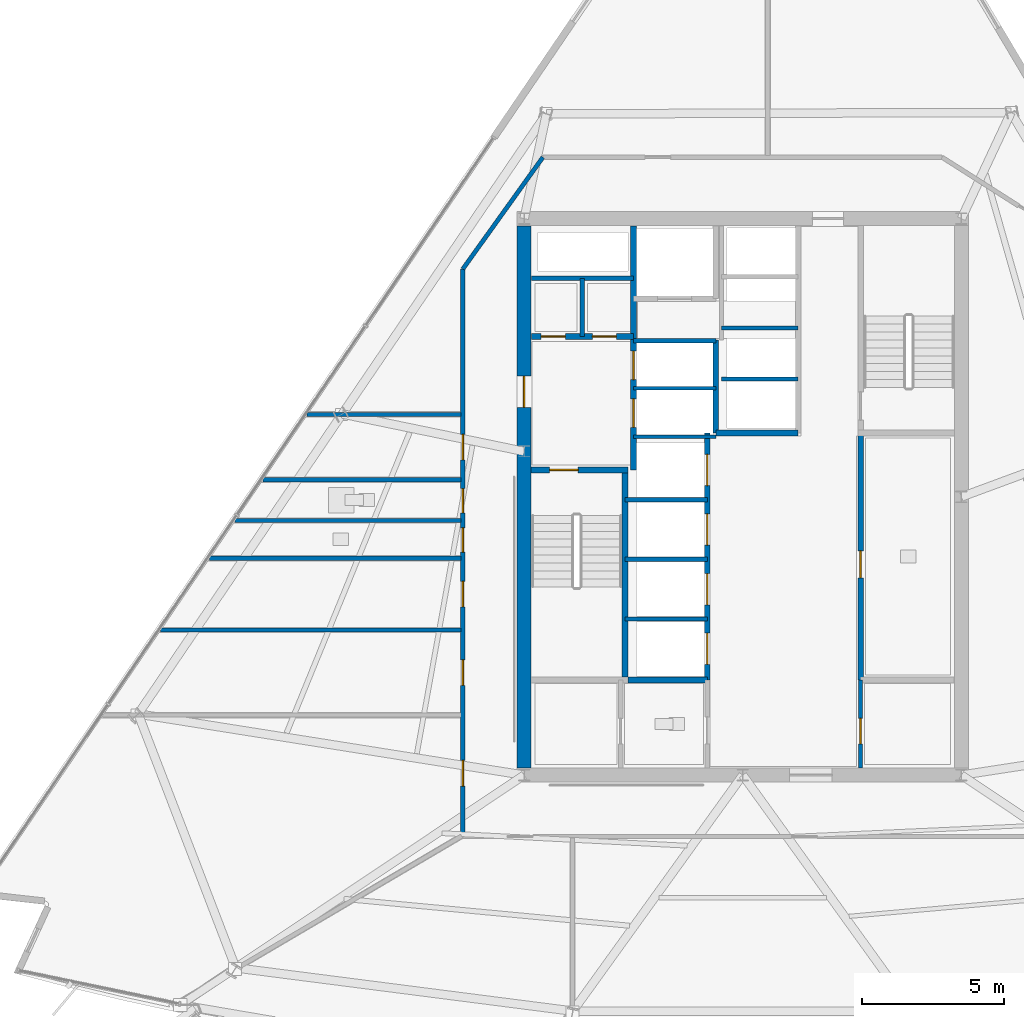
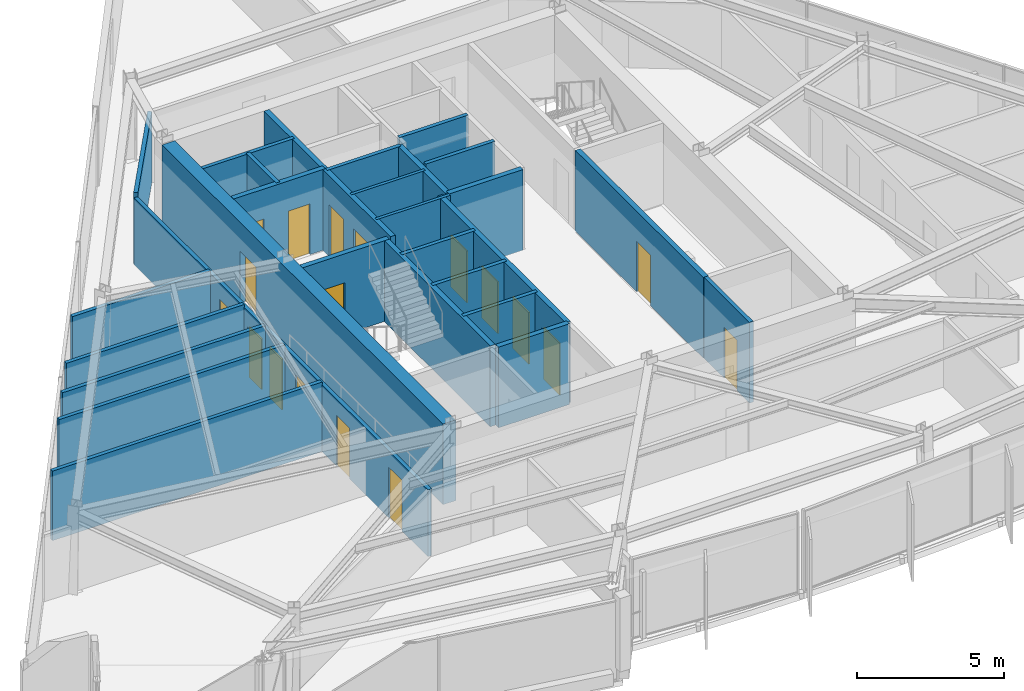
# One storey, part 9 of 16: 28 walls, 18 doors, 18 openings.
"""IFC4 building model written with IfcOpenShell, lengths in metres."""

from ifc_helpers import new_model, si_unit, direction, frame, frame_2d, origin, place, context, subcontext, project, spatial, rectangle, extrude, material, layer, layer_set, type_object, element, fill, save


model = new_model("IFC4")

# Units and contexts
model_context = context("Model", 3, precision=1e-05, world=origin(), true_north=direction((0.0, 1.0)))
body_context = subcontext(model_context, "Body", "Model", "MODEL_VIEW")
ifc_project = project(units=[si_unit("LENGTHUNIT", "METRE"), si_unit("AREAUNIT", "SQUARE_METRE"), si_unit("VOLUMEUNIT", "CUBIC_METRE"), si_unit("PLANEANGLEUNIT", "RADIAN"), si_unit("MASSUNIT", "GRAM", prefix="KILO")], contexts=[model_context])

# Site, building, storey
site_placement = place(None, origin())
site = spatial("IfcSite", under=ifc_project, at=site_placement, CompositionType="ELEMENT")
building_placement = place(site_placement, origin())
building = spatial("IfcBuilding", under=site, at=building_placement, Name="Savorim Split Tower", CompositionType="ELEMENT")
storey_placement = place(building_placement, frame((0.0, 0.0, 149.39990234375)))
storey = spatial("IfcBuildingStorey", under=building, at=storey_placement, Name="L39", CompositionType="ELEMENT", Elevation=149.39990234375)

# Wall, opening, door
ifc_material_1 = material(Name="Concrete C60/75", Category="concrete")
ifc_layer_1 = layer(ifc_material_1, 0.5)
ifc_layer_set_1 = layer_set([ifc_layer_1], Name="WAL-COR-SH500")
wall_type_1 = type_object("IfcWallType", Name="WAL-COR-SH500", PredefinedType="SHEAR", material=ifc_layer_set_1)
wall_1_placement = place(storey_placement, frame((-7.699951171875, -9.14990234375, 0.0), z_axis=(0.0, 0.0, 1.0), x_axis=(0.0, 1.0, 0.0)))
wall_1 = element("IfcWall", 1, at=wall_1_placement, inside=storey, type_object=wall_type_1, Name="L39 Offset Core West Shear Wall", PredefinedType="SHEAR", context=body_context, shape_type="SweptSolid", body=[
    extrude(rectangle(XDim=19.099853515625, YDim=0.5, at=frame_2d((9.5498046875, 0.0))), origin(), (0.0, 0.0, 1.0), 3.35009765625),
])
opening_1_placement = place(wall_1_placement, frame((12.699951171875, 0.0, 0.0)))
opening_1 = element("IfcOpeningElement", 2, at=opening_1_placement, cuts=wall_1, Name="Opening DI-03", PredefinedType="OPENING", context=body_context, shape_type="SweptSolid", body=[
    extrude(rectangle(XDim=1.10009765625, YDim=2.14990234375, at=frame_2d((0.550048828125, 1.074951171875))), frame((0.0, 0.260009765625, 0.0), z_axis=(0.0, -1.0, 0.0), x_axis=(1.0, 0.0, 0.0)), (0.0, 0.0, 1.0), 0.52001953125),
])
ifc_material_2 = material(Name="Timber Fire Door Leaf", Category="wood")
door_type_1 = type_object("IfcDoorType", Name="DOR-FIR-1100", OperationType="NOTDEFINED", PredefinedType="DOOR", material=ifc_material_2)
door_1_placement = place(opening_1_placement, origin())
door_1 = element("IfcDoor", 3, at=door_1_placement, inside=storey, type_object=door_type_1, Name="DOR-L39-COR-FFLOB - L39 Firefighting Lobby Corridor Door", OperationType="SINGLE_SWING_LEFT", OverallHeight=2.14990234375, OverallWidth=1.10009765625, PredefinedType="DOOR", context=body_context, shape_type="SweptSolid", body=[
    extrude(rectangle(XDim=1.10009765625, YDim=2.14990234375, at=frame_2d((0.550048828125, 1.074951171875))), frame((0.0, 0.02490234375, 0.0), z_axis=(0.0, -1.0, 0.0), x_axis=(1.0, 0.0, 0.0)), (0.0, 0.0, 1.0), 0.050048828125),
])
fill(opening_1, door_1)

ifc_material_3 = material(Name="Concrete C50/60", Category="concrete")
ifc_layer_2 = layer(ifc_material_3, 0.199951171875)
ifc_layer_set_2 = layer_set([ifc_layer_2], Name="WAL-INT-RC200")
wall_type_2 = type_object("IfcWallType", Name="WAL-INT-RC200", PredefinedType="SOLIDWALL", material=ifc_layer_set_2)
wall_2_placement = place(storey_placement, frame((-7.449951171875, 1.35009765625, 0.0), z_axis=(0.0, 0.0, 1.0), x_axis=(1.0, 0.0, 0.0)))
wall_2 = element("IfcWall", 4, at=wall_2_placement, inside=storey, type_object=wall_type_2, Name="L39 Structural Shaft Wall W-L39-CR01", PredefinedType="SOLIDWALL", context=body_context, shape_type="SweptSolid", body=[
    extrude(rectangle(XDim=3.39990234375, YDim=0.199951171875, at=frame_2d((1.699951171875, 0.0))), origin(), (0.0, 0.0, 1.0), 3.35009765625),
])
opening_2_placement = place(wall_2_placement, frame((0.64990234375, 0.0, 0.0)))
opening_2 = element("IfcOpeningElement", 5, at=opening_2_placement, cuts=wall_2, Name="Opening DI-04", PredefinedType="OPENING", context=body_context, shape_type="SweptSolid", body=[
    extrude(rectangle(XDim=1.0, YDim=2.14990234375, at=frame_2d((0.5, 1.074951171875))), frame((0.0, 0.10986328125, 0.0), z_axis=(0.0, -1.0, 0.0), x_axis=(1.0, 0.0, 0.0)), (0.0, 0.0, 1.0), 0.219970703125),
])
door_type_2 = type_object("IfcDoorType", Name="DOR-FIR-1000", OperationType="NOTDEFINED", PredefinedType="DOOR", material=ifc_material_2)
door_2_placement = place(opening_2_placement, origin())
door_2 = element("IfcDoor", 6, at=door_2_placement, inside=storey, type_object=door_type_2, Name="DR-L39-ST1 - L39 Stair ST-1 Enclosure Door", OperationType="SINGLE_SWING_LEFT", OverallHeight=2.14990234375, OverallWidth=1.0, PredefinedType="DOOR", context=body_context, shape_type="SweptSolid", body=[
    extrude(rectangle(XDim=1.0, YDim=2.14990234375, at=frame_2d((0.5, 1.074951171875))), frame((0.0, 0.02490234375, 0.0), z_axis=(0.0, -1.0, 0.0), x_axis=(1.0, 0.0, 0.0)), (0.0, 0.0, 1.0), 0.050048828125),
])
fill(opening_2, door_2)

# Wall
wall_3_placement = place(storey_placement, frame((-4.14990234375, -5.949951171875, 0.0), z_axis=(0.0, 0.0, 1.0), x_axis=(0.0, 1.0, 0.0)))
element("IfcWall", 7, at=wall_3_placement, inside=storey, type_object=wall_type_2, Name="L39 Structural Shaft Wall W-L39-CR02", PredefinedType="SOLIDWALL", context=body_context, shape_type="SweptSolid", body=[
    extrude(rectangle(XDim=7.199951171875, YDim=0.199951171875, at=frame_2d((3.60009765625, 0.0))), origin(), (0.0, 0.0, 1.0), 3.35009765625),
])

# Wall, openings, doors
wall_4_placement = place(storey_placement, frame((-3.85009765625, 1.35009765625, 0.0), z_axis=(0.0, 0.0, 1.0), x_axis=(0.0, 1.0, 0.0)))
wall_4 = element("IfcWall", 8, at=wall_4_placement, inside=storey, type_object=wall_type_2, Name="L39 Partition W-L39-CR03", PredefinedType="SOLIDWALL", context=body_context, shape_type="SweptSolid", body=[
    extrude(rectangle(XDim=8.594970703125, YDim=0.199951171875, at=frame_2d((4.29736328125, 0.0))), origin(), (0.0, 0.0, 1.0), 3.35009765625),
])
opening_3_placement = place(wall_4_placement, frame((1.5, 0.0, 0.0)))
opening_3 = element("IfcOpeningElement", 9, at=opening_3_placement, cuts=wall_4, Name="Opening LD-FFL", PredefinedType="OPENING", context=body_context, shape_type="SweptSolid", body=[
    extrude(rectangle(XDim=1.0, YDim=2.14990234375, at=frame_2d((0.5, 1.074951171875))), frame((0.0, 0.10986328125, 0.0), z_axis=(0.0, -1.0, 0.0), x_axis=(1.0, 0.0, 0.0)), (0.0, 0.0, 1.0), 0.219970703125),
])
opening_4_placement = place(wall_4_placement, frame((3.179931640625, 0.0, 0.0)))
opening_4 = element("IfcOpeningElement", 10, at=opening_4_placement, cuts=wall_4, Name="Opening LD-FFL", PredefinedType="OPENING", context=body_context, shape_type="SweptSolid", body=[
    extrude(rectangle(XDim=1.0, YDim=2.14990234375, at=frame_2d((0.5, 1.074951171875))), frame((0.0, 0.10986328125, 0.0), z_axis=(0.0, -1.0, 0.0), x_axis=(1.0, 0.0, 0.0)), (0.0, 0.0, 1.0), 0.219970703125),
])
ifc_material_4 = material(Name="Charcoal Anodised Aluminium", Category="aluminium")
door_type_3 = type_object("IfcDoorType", Name="DOR-SLD-LD1000", OperationType="NOTDEFINED", PredefinedType="DOOR", material=ifc_material_4)
door_3_placement = place(opening_3_placement, origin())
door_3 = element("IfcDoor", 11, at=door_3_placement, inside=storey, type_object=door_type_3, Name="DR-L39-LD-FFL1 - L39 Firefighting Lift FFL-1 Sliding Landing Door", OperationType="DOUBLE_DOOR_SLIDING", OverallHeight=2.14990234375, OverallWidth=1.0, PredefinedType="DOOR", context=body_context, shape_type="SweptSolid", body=[
    extrude(rectangle(XDim=1.0, YDim=2.14990234375, at=frame_2d((0.5, 1.074951171875))), frame((0.0, 0.02490234375, 0.0), z_axis=(0.0, -1.0, 0.0), x_axis=(1.0, 0.0, 0.0)), (0.0, 0.0, 1.0), 0.050048828125),
])
fill(opening_3, door_3)
door_4_placement = place(opening_4_placement, origin())
door_4 = element("IfcDoor", 12, at=door_4_placement, inside=storey, type_object=door_type_3, Name="DR-L39-LD-FFL2 - L39 Firefighting Lift FFL-2 Sliding Landing Door", OperationType="DOUBLE_DOOR_SLIDING", OverallHeight=2.14990234375, OverallWidth=1.0, PredefinedType="DOOR", context=body_context, shape_type="SweptSolid", body=[
    extrude(rectangle(XDim=1.0, YDim=2.14990234375, at=frame_2d((0.5, 1.074951171875))), frame((0.0, 0.02490234375, 0.0), z_axis=(0.0, -1.0, 0.0), x_axis=(1.0, 0.0, 0.0)), (0.0, 0.0, 1.0), 0.050048828125),
])
fill(opening_4, door_4)

wall_5_placement = place(storey_placement, frame((-7.445068359375, 6.050048828125, 0.0), z_axis=(0.0, 0.0, 1.0), x_axis=(1.0, 0.0, 0.0)))
wall_5 = element("IfcWall", 13, at=wall_5_placement, inside=storey, type_object=wall_type_2, Name="L39 Partition W-L39-CR04", PredefinedType="SOLIDWALL", context=body_context, shape_type="SweptSolid", body=[
    extrude(rectangle(XDim=3.594970703125, YDim=0.199951171875, at=frame_2d((1.79736328125, 0.0))), origin(), (0.0, 0.0, 1.0), 3.35009765625),
])
opening_5_placement = place(wall_5_placement, frame((0.344970703125, 0.0, 0.0)))
opening_5 = element("IfcOpeningElement", 14, at=opening_5_placement, cuts=wall_5, Name="Opening DI-12", PredefinedType="OPENING", context=body_context, shape_type="SweptSolid", body=[
    extrude(rectangle(XDim=0.85009765625, YDim=2.10009765625, at=frame_2d((0.425048828125, 1.050048828125))), frame((0.0, 0.10986328125, 0.0), z_axis=(0.0, -1.0, 0.0), x_axis=(1.0, 0.0, 0.0)), (0.0, 0.0, 1.0), 0.219970703125),
])
opening_6_placement = place(wall_5_placement, frame((2.14501953125, 0.0, 0.0)))
opening_6 = element("IfcOpeningElement", 15, at=opening_6_placement, cuts=wall_5, Name="Opening DI-12", PredefinedType="OPENING", context=body_context, shape_type="SweptSolid", body=[
    extrude(rectangle(XDim=0.85009765625, YDim=2.10009765625, at=frame_2d((0.425048828125, 1.050048828125))), frame((0.0, 0.10986328125, 0.0), z_axis=(0.0, -1.0, 0.0), x_axis=(1.0, 0.0, 0.0)), (0.0, 0.0, 1.0), 0.219970703125),
])
ifc_material_5 = material(Name="Galvanised Painted Steel Balustrade", Category="steel")
door_type_4 = type_object("IfcDoorType", Name="DOR-RIS-850", OperationType="NOTDEFINED", PredefinedType="DOOR", material=ifc_material_5)
door_5_placement = place(opening_5_placement, origin())
door_5 = element("IfcDoor", 16, at=door_5_placement, inside=storey, type_object=door_type_4, Name="DR-L39-ELR - L39 Electrical Riser Access Door", OperationType="SINGLE_SWING_RIGHT", OverallHeight=2.10009765625, OverallWidth=0.85009765625, PredefinedType="DOOR", context=body_context, shape_type="SweptSolid", body=[
    extrude(rectangle(XDim=0.85009765625, YDim=2.10009765625, at=frame_2d((0.425048828125, 1.050048828125))), frame((0.0, 0.02490234375, 0.0), z_axis=(0.0, -1.0, 0.0), x_axis=(1.0, 0.0, 0.0)), (0.0, 0.0, 1.0), 0.050048828125),
])
fill(opening_5, door_5)
door_6_placement = place(opening_6_placement, origin())
door_6 = element("IfcDoor", 17, at=door_6_placement, inside=storey, type_object=door_type_4, Name="DR-L39-TLR - L39 Telecom Riser Access Door", OperationType="SINGLE_SWING_LEFT", OverallHeight=2.10009765625, OverallWidth=0.85009765625, PredefinedType="DOOR", context=body_context, shape_type="SweptSolid", body=[
    extrude(rectangle(XDim=0.85009765625, YDim=2.10009765625, at=frame_2d((0.425048828125, 1.050048828125))), frame((0.0, 0.02490234375, 0.0), z_axis=(0.0, -1.0, 0.0), x_axis=(1.0, 0.0, 0.0)), (0.0, 0.0, 1.0), 0.050048828125),
])
fill(opening_6, door_6)

# Wall
wall_6_placement = place(storey_placement, frame((-0.949951171875, 2.64990234375, 0.0), z_axis=(0.0, 0.0, 1.0), x_axis=(0.0, 1.0, 0.0)))
element("IfcWall", 18, at=wall_6_placement, inside=storey, type_object=wall_type_2, Name="L39 Partition W-L39-FFLW", PredefinedType="SOLIDWALL", context=body_context, shape_type="SweptSolid", body=[
    extrude(rectangle(XDim=3.27001953125, YDim=0.199951171875, at=frame_2d((1.635009765625, 0.0))), origin(), (0.0, 0.0, 1.0), 3.35009765625),
])

# Wall, opening, door
wall_7_placement = place(storey_placement, frame((4.14990234375, -6.050048828125, 0.0), z_axis=(0.0, 0.0, 1.0), x_axis=(0.0, 1.0, 0.0)))
wall_7 = element("IfcWall", 19, at=wall_7_placement, inside=storey, type_object=wall_type_2, Name="L39 Partition W-L39-B1FRONT", PredefinedType="SOLIDWALL", context=body_context, shape_type="SweptSolid", body=[
    extrude(rectangle(XDim=8.699951171875, YDim=0.199951171875, at=frame_2d((4.35009765625, 0.0))), origin(), (0.0, 0.0, 1.0), 3.35009765625),
])
opening_7_placement = place(wall_7_placement, frame((3.60009765625, 0.0, 0.0)))
opening_7 = element("IfcOpeningElement", 20, at=opening_7_placement, cuts=wall_7, Name="Opening DI-05", PredefinedType="OPENING", context=body_context, shape_type="SweptSolid", body=[
    extrude(rectangle(XDim=0.949951171875, YDim=2.10009765625, at=frame_2d((0.47509765625, 1.050048828125))), frame((0.0, 0.10986328125, 0.0), z_axis=(0.0, -1.0, 0.0), x_axis=(1.0, 0.0, 0.0)), (0.0, 0.0, 1.0), 0.219970703125),
])
door_type_5 = type_object("IfcDoorType", Name="DOR-FIR-950", OperationType="NOTDEFINED", PredefinedType="DOOR", material=ifc_material_2)
door_7_placement = place(opening_7_placement, origin())
door_7 = element("IfcDoor", 21, at=door_7_placement, inside=storey, type_object=door_type_5, Name="DR-L39-LV7B1 - L39 Community Laundry Room Door", OperationType="SINGLE_SWING_RIGHT", OverallHeight=2.10009765625, OverallWidth=0.949951171875, PredefinedType="DOOR", context=body_context, shape_type="SweptSolid", body=[
    extrude(rectangle(XDim=0.949951171875, YDim=2.10009765625, at=frame_2d((0.47509765625, 1.050048828125))), frame((0.0, 0.02490234375, 0.0), z_axis=(0.0, -1.0, 0.0), x_axis=(1.0, 0.0, 0.0)), (0.0, 0.0, 1.0), 0.050048828125),
])
fill(opening_7, door_7)

# Wall, openings, doors
wall_8_placement = place(storey_placement, frame((-1.25, -6.050048828125, 0.0), z_axis=(0.0, 0.0, 1.0), x_axis=(0.0, 1.0, 0.0)))
wall_8 = element("IfcWall", 22, at=wall_8_placement, inside=storey, type_object=wall_type_2, Name="L39 Partition W-L39-B2FRONT", PredefinedType="SOLIDWALL", context=body_context, shape_type="SweptSolid", body=[
    extrude(rectangle(XDim=8.699951171875, YDim=0.199951171875, at=frame_2d((4.35009765625, 0.0))), origin(), (0.0, 0.0, 1.0), 3.35009765625),
])
opening_8_placement = place(wall_8_placement, frame((0.550048828125, 0.0, 0.0)))
opening_8 = element("IfcOpeningElement", 23, at=opening_8_placement, cuts=wall_8, Name="Opening LD-02", PredefinedType="OPENING", context=body_context, shape_type="SweptSolid", body=[
    extrude(rectangle(XDim=1.10009765625, YDim=2.14990234375, at=frame_2d((0.550048828125, 1.074951171875))), frame((0.0, 0.10986328125, 0.0), z_axis=(0.0, -1.0, 0.0), x_axis=(1.0, 0.0, 0.0)), (0.0, 0.0, 1.0), 0.219970703125),
])
opening_9_placement = place(wall_8_placement, frame((2.64990234375, 0.0, 0.0)))
opening_9 = element("IfcOpeningElement", 24, at=opening_9_placement, cuts=wall_8, Name="Opening LD-02", PredefinedType="OPENING", context=body_context, shape_type="SweptSolid", body=[
    extrude(rectangle(XDim=1.10009765625, YDim=2.14990234375, at=frame_2d((0.550048828125, 1.074951171875))), frame((0.0, 0.10986328125, 0.0), z_axis=(0.0, -1.0, 0.0), x_axis=(1.0, 0.0, 0.0)), (0.0, 0.0, 1.0), 0.219970703125),
])
opening_10_placement = place(wall_8_placement, frame((4.75, 0.0, 0.0)))
opening_10 = element("IfcOpeningElement", 25, at=opening_10_placement, cuts=wall_8, Name="Opening LD-02", PredefinedType="OPENING", context=body_context, shape_type="SweptSolid", body=[
    extrude(rectangle(XDim=1.10009765625, YDim=2.14990234375, at=frame_2d((0.550048828125, 1.074951171875))), frame((0.0, 0.10986328125, 0.0), z_axis=(0.0, -1.0, 0.0), x_axis=(1.0, 0.0, 0.0)), (0.0, 0.0, 1.0), 0.219970703125),
])
opening_11_placement = place(wall_8_placement, frame((6.85009765625, 0.0, 0.0)))
opening_11 = element("IfcOpeningElement", 26, at=opening_11_placement, cuts=wall_8, Name="Opening LD-02", PredefinedType="OPENING", context=body_context, shape_type="SweptSolid", body=[
    extrude(rectangle(XDim=1.10009765625, YDim=2.14990234375, at=frame_2d((0.550048828125, 1.074951171875))), frame((0.0, 0.10986328125, 0.0), z_axis=(0.0, -1.0, 0.0), x_axis=(1.0, 0.0, 0.0)), (0.0, 0.0, 1.0), 0.219970703125),
])
door_type_6 = type_object("IfcDoorType", Name="DOR-SLD-LDM1100", OperationType="NOTDEFINED", PredefinedType="DOOR", material=ifc_material_4)
door_8_placement = place(opening_8_placement, origin())
door_8 = element("IfcDoor", 27, at=door_8_placement, inside=storey, type_object=door_type_6, Name="DR-L39-LD-PLM1 - L39 Lift PL-M1 Sliding Landing Door", OperationType="DOUBLE_DOOR_SLIDING", OverallHeight=2.14990234375, OverallWidth=1.10009765625, PredefinedType="DOOR", context=body_context, shape_type="SweptSolid", body=[
    extrude(rectangle(XDim=1.10009765625, YDim=2.14990234375, at=frame_2d((0.550048828125, 1.074951171875))), frame((0.0, 0.02490234375, 0.0), z_axis=(0.0, -1.0, 0.0), x_axis=(1.0, 0.0, 0.0)), (0.0, 0.0, 1.0), 0.050048828125),
])
fill(opening_8, door_8)
door_9_placement = place(opening_9_placement, origin())
door_9 = element("IfcDoor", 28, at=door_9_placement, inside=storey, type_object=door_type_6, Name="DR-L39-LD-PLM2 - L39 Lift PL-M2 Sliding Landing Door", OperationType="DOUBLE_DOOR_SLIDING", OverallHeight=2.14990234375, OverallWidth=1.10009765625, PredefinedType="DOOR", context=body_context, shape_type="SweptSolid", body=[
    extrude(rectangle(XDim=1.10009765625, YDim=2.14990234375, at=frame_2d((0.550048828125, 1.074951171875))), frame((0.0, 0.02490234375, 0.0), z_axis=(0.0, -1.0, 0.0), x_axis=(1.0, 0.0, 0.0)), (0.0, 0.0, 1.0), 0.050048828125),
])
fill(opening_9, door_9)
door_10_placement = place(opening_10_placement, origin())
door_10 = element("IfcDoor", 29, at=door_10_placement, inside=storey, type_object=door_type_6, Name="DR-L39-LD-PLM3 - L39 Lift PL-M3 Sliding Landing Door", OperationType="DOUBLE_DOOR_SLIDING", OverallHeight=2.14990234375, OverallWidth=1.10009765625, PredefinedType="DOOR", context=body_context, shape_type="SweptSolid", body=[
    extrude(rectangle(XDim=1.10009765625, YDim=2.14990234375, at=frame_2d((0.550048828125, 1.074951171875))), frame((0.0, 0.02490234375, 0.0), z_axis=(0.0, -1.0, 0.0), x_axis=(1.0, 0.0, 0.0)), (0.0, 0.0, 1.0), 0.050048828125),
])
fill(opening_10, door_10)
door_11_placement = place(opening_11_placement, origin())
door_11 = element("IfcDoor", 30, at=door_11_placement, inside=storey, type_object=door_type_6, Name="DR-L39-LD-PLM4 - L39 Lift PL-M4 Sliding Landing Door", OperationType="DOUBLE_DOOR_SLIDING", OverallHeight=2.14990234375, OverallWidth=1.10009765625, PredefinedType="DOOR", context=body_context, shape_type="SweptSolid", body=[
    extrude(rectangle(XDim=1.10009765625, YDim=2.14990234375, at=frame_2d((0.550048828125, 1.074951171875))), frame((0.0, 0.02490234375, 0.0), z_axis=(0.0, -1.0, 0.0), x_axis=(1.0, 0.0, 0.0)), (0.0, 0.0, 1.0), 0.050048828125),
])
fill(opening_11, door_11)

# Walls
wall_9_placement = place(storey_placement, frame((-0.949951171875, 2.64990234375, 0.0), z_axis=(0.0, 0.0, 1.0), x_axis=(1.0, 0.0, 0.0)))
element("IfcWall", 31, at=wall_9_placement, inside=storey, type_object=wall_type_2, Name="L39 Partition W-L39-B3SOUTH", PredefinedType="SOLIDWALL", context=body_context, shape_type="SweptSolid", body=[
    extrude(rectangle(XDim=2.89990234375, YDim=0.199951171875, at=frame_2d((1.449951171875, 0.0))), origin(), (0.0, 0.0, 1.0), 3.35009765625),
])
wall_10_placement = place(storey_placement, frame((-4.0400390625, -6.050048828125, 0.0), z_axis=(0.0, 0.0, 1.0), x_axis=(1.0, 0.0, 0.0)))
element("IfcWall", 32, at=wall_10_placement, inside=storey, type_object=wall_type_2, Name="L39 Partition W-L39-KSEP-W2", PredefinedType="SOLIDWALL", context=body_context, shape_type="SweptSolid", body=[
    extrude(rectangle(XDim=2.7900390625, YDim=0.199951171875, at=frame_2d((1.39501953125, 0.0))), origin(), (0.0, 0.0, 1.0), 3.35009765625),
])
ifc_material_6 = material(Name="Acoustic Gypsum Partition Board")
ifc_layer_3 = layer(ifc_material_6, 0.1201171875)
ifc_layer_set_3 = layer_set([ifc_layer_3], Name="WAL-PAR-120")
wall_type_3 = type_object("IfcWallType", Name="WAL-PAR-120", PredefinedType="PARTITIONING", material=ifc_layer_set_3)
for number, where, z_axis, x_axis, name in (
    (33, (-3.85009765625, 2.52001953125, 0.0), (0.0, 0.0, 1.0), (1.0, 0.0, 0.0), "L39 Partition W-L39-FFLD0"),
    (34, (-3.85009765625, 4.219970703125, 0.0), (0.0, 0.0, 1.0), (1.0, 0.0, 0.0), "L39 Partition W-L39-FFLD1"),
):
    element("IfcWall", number, at=place(storey_placement, frame(where, z_axis=z_axis, x_axis=x_axis)), inside=storey, type_object=wall_type_3, Name=name, PredefinedType="PARTITIONING", context=body_context, shape_type="SweptSolid", body=[
        extrude(rectangle(XDim=2.900146484375, YDim=0.1201171875, at=frame_2d((1.4501953125, 0.0))), origin(), (0.0, 0.0, 1.0), 3.35009765625),
    ])
ifc_layer_4 = layer(ifc_material_6, 0.14990234375)
ifc_layer_set_4 = layer_set([ifc_layer_4], Name="WAL-PAR-150")
wall_type_4 = type_object("IfcWallType", Name="WAL-PAR-150", PredefinedType="PARTITIONING", material=ifc_layer_set_4)
wall_11_placement = place(storey_placement, frame((-7.445068359375, 8.10009765625, 0.0), z_axis=(0.0, 0.0, 1.0), x_axis=(1.0, 0.0, 0.0)))
element("IfcWall", 35, at=wall_11_placement, inside=storey, type_object=wall_type_4, Name="L39 Partition W-L39-CR05", PredefinedType="PARTITIONING", context=body_context, shape_type="SweptSolid", body=[
    extrude(rectangle(XDim=3.594970703125, YDim=0.14990234375, at=frame_2d((1.79736328125, 0.0))), origin(), (0.0, 0.0, 1.0), 3.35009765625),
])
wall_12_placement = place(storey_placement, frame((-5.64990234375, 6.050048828125, 0.0), z_axis=(0.0, 0.0, 1.0), x_axis=(0.0, 1.0, 0.0)))
element("IfcWall", 36, at=wall_12_placement, inside=storey, type_object=wall_type_4, Name="L39 Partition W-L39-CR06", PredefinedType="PARTITIONING", context=body_context, shape_type="SweptSolid", body=[
    extrude(rectangle(XDim=2.050048828125, YDim=0.14990234375, at=frame_2d((1.02490234375, 0.0))), origin(), (0.0, 0.0, 1.0), 3.35009765625),
])
wall_13_placement = place(storey_placement, frame((-3.85009765625, 5.89990234375, 0.0), z_axis=(0.0, 0.0, 1.0), x_axis=(1.0, 0.0, 0.0)))
element("IfcWall", 37, at=wall_13_placement, inside=storey, type_object=wall_type_4, Name="L39 Partition W-L39-FFLD2", PredefinedType="PARTITIONING", context=body_context, shape_type="SweptSolid", body=[
    extrude(rectangle(XDim=2.900146484375, YDim=0.14990234375, at=frame_2d((1.4501953125, 0.0))), origin(), (0.0, 0.0, 1.0), 3.35009765625),
])
for number, where, z_axis, x_axis, name in (
    (38, (-4.14990234375, -3.89990234375, 0.0), (0.0, 0.0, 1.0), (1.0, 0.0, 0.0), "L39 Partition W-L39-B2DIV1"),
    (39, (-4.14990234375, -1.800048828125, 0.0), (0.0, 0.0, 1.0), (1.0, 0.0, 0.0), "L39 Partition W-L39-B2DIV2"),
    (40, (-4.14990234375, 0.300048828125, 0.0), (0.0, 0.0, 1.0), (1.0, 0.0, 0.0), "L39 Partition W-L39-B2DIV3"),
):
    element("IfcWall", number, at=place(storey_placement, frame(where, z_axis=z_axis, x_axis=x_axis)), inside=storey, type_object=wall_type_4, Name=name, PredefinedType="PARTITIONING", context=body_context, shape_type="SweptSolid", body=[
        extrude(rectangle(XDim=2.89990234375, YDim=0.14990234375, at=frame_2d((1.449951171875, 0.0))), origin(), (0.0, 0.0, 1.0), 3.35009765625),
    ])
for number, where, z_axis, x_axis, name in (
    (41, (-0.75, 4.550048828125, 0.0), (0.0, 0.0, 1.0), (1.0, 0.0, 0.0), "L39 Partition W-L39-B3DIV1"),
    (42, (-0.75, 6.35009765625, 0.0), (0.0, 0.0, 1.0), (1.0, 0.0, 0.0), "L39 Partition W-L39-B3DIV2"),
):
    element("IfcWall", number, at=place(storey_placement, frame(where, z_axis=z_axis, x_axis=x_axis)), inside=storey, type_object=wall_type_4, Name=name, PredefinedType="PARTITIONING", context=body_context, shape_type="SweptSolid", body=[
        extrude(rectangle(XDim=2.699951171875, YDim=0.14990234375, at=frame_2d((1.35009765625, 0.0))), origin(), (0.0, 0.0, 1.0), 3.35009765625),
    ])

# Wall, opening, door
wall_14_placement = place(storey_placement, frame((4.14990234375, -9.14501953125, 0.0), z_axis=(0.0, 0.0, 1.0), x_axis=(0.0, 1.0, 0.0)))
wall_14 = element("IfcWall", 43, at=wall_14_placement, inside=storey, type_object=wall_type_4, Name="L39 Partition W-L39-KLOB-E", PredefinedType="PARTITIONING", context=body_context, shape_type="SweptSolid", body=[
    extrude(rectangle(XDim=3.094970703125, YDim=0.14990234375, at=frame_2d((1.54736328125, 0.0))), origin(), (0.0, 0.0, 1.0), 3.35009765625),
])
opening_12_placement = place(wall_14_placement, frame((0.844970703125, 0.0, 0.0)))
opening_12 = element("IfcOpeningElement", 44, at=opening_12_placement, cuts=wall_14, Name="Opening DI-06", PredefinedType="OPENING", context=body_context, shape_type="SweptSolid", body=[
    extrude(rectangle(XDim=0.89990234375, YDim=2.10009765625, at=frame_2d((0.449951171875, 1.050048828125))), frame((0.0, 0.0849609375, 0.0), z_axis=(0.0, -1.0, 0.0), x_axis=(1.0, 0.0, 0.0)), (0.0, 0.0, 1.0), 0.169921875),
])
door_type_7 = type_object("IfcDoorType", Name="DOR-FIR-900", OperationType="NOTDEFINED", PredefinedType="DOOR", material=ifc_material_2)
door_12_placement = place(opening_12_placement, origin())
door_12 = element("IfcDoor", 45, at=door_12_placement, inside=storey, type_object=door_type_7, Name="DR-L39-K1IT - L39 Core IT Room Door", OperationType="SINGLE_SWING_LEFT", OverallHeight=2.10009765625, OverallWidth=0.89990234375, PredefinedType="DOOR", context=body_context, shape_type="SweptSolid", body=[
    extrude(rectangle(XDim=0.89990234375, YDim=2.10009765625, at=frame_2d((0.449951171875, 1.050048828125))), frame((0.0, 0.02490234375, 0.0), z_axis=(0.0, -1.0, 0.0), x_axis=(1.0, 0.0, 0.0)), (0.0, 0.0, 1.0), 0.050048828125),
])
fill(opening_12, door_12)

# Wall, openings, doors
wall_15_placement = place(storey_placement, frame((-9.860107421875, -11.56005859375, 0.0), z_axis=(0.0, 0.0, 1.0), x_axis=(0.0, 1.0, 0.0)))
wall_15 = element("IfcWall", 46, at=wall_15_placement, inside=storey, type_object=wall_type_4, Name="L39 Partition W-L39-COR-01", PredefinedType="PARTITIONING", context=body_context, shape_type="SweptSolid", body=[
    extrude(rectangle(XDim=19.98583984375, YDim=0.14990234375, at=frame_2d((9.992919921875, 0.0))), origin(), (0.0, 0.0, 1.0), 2.775146484375),
])
opening_13_placement = place(wall_15_placement, frame((11.397705078125, 0.0, 0.0)))
opening_13 = element("IfcOpeningElement", 47, at=opening_13_placement, cuts=wall_15, Name="Opening DI-13", PredefinedType="OPENING", context=body_context, shape_type="SweptSolid", body=[
    extrude(rectangle(XDim=0.85009765625, YDim=2.10009765625, at=frame_2d((0.425048828125, 1.050048828125))), frame((0.0, 0.0849609375, 0.0), z_axis=(0.0, -1.0, 0.0), x_axis=(1.0, 0.0, 0.0)), (0.0, 0.0, 1.0), 0.169921875),
])
opening_14_placement = place(wall_15_placement, frame((10.015380859375, 0.0, 0.0)))
opening_14 = element("IfcOpeningElement", 48, at=opening_14_placement, cuts=wall_15, Name="Opening DI-13", PredefinedType="OPENING", context=body_context, shape_type="SweptSolid", body=[
    extrude(rectangle(XDim=0.85009765625, YDim=2.10009765625, at=frame_2d((0.425048828125, 1.050048828125))), frame((0.0, 0.0849609375, 0.0), z_axis=(0.0, -1.0, 0.0), x_axis=(1.0, 0.0, 0.0)), (0.0, 0.0, 1.0), 0.169921875),
])
opening_15_placement = place(wall_15_placement, frame((8.08837890625, 0.0, 0.0)))
opening_15 = element("IfcOpeningElement", 49, at=opening_15_placement, cuts=wall_15, Name="Opening DI-06", PredefinedType="OPENING", context=body_context, shape_type="SweptSolid", body=[
    extrude(rectangle(XDim=0.89990234375, YDim=2.10009765625, at=frame_2d((0.449951171875, 1.050048828125))), frame((0.0, 0.0849609375, 0.0), z_axis=(0.0, -1.0, 0.0), x_axis=(1.0, 0.0, 0.0)), (0.0, 0.0, 1.0), 0.169921875),
])
opening_16_placement = place(wall_15_placement, frame((5.32373046875, 0.0, 0.0)))
opening_16 = element("IfcOpeningElement", 50, at=opening_16_placement, cuts=wall_15, Name="Opening DI-06", PredefinedType="OPENING", context=body_context, shape_type="SweptSolid", body=[
    extrude(rectangle(XDim=0.89990234375, YDim=2.10009765625, at=frame_2d((0.449951171875, 1.050048828125))), frame((0.0, 0.0849609375, 0.0), z_axis=(0.0, -1.0, 0.0), x_axis=(1.0, 0.0, 0.0)), (0.0, 0.0, 1.0), 0.169921875),
])
opening_17_placement = place(wall_15_placement, frame((1.7763671875, 0.0, 0.0)))
opening_17 = element("IfcOpeningElement", 51, at=opening_17_placement, cuts=wall_15, Name="Opening DI-06", PredefinedType="OPENING", context=body_context, shape_type="SweptSolid", body=[
    extrude(rectangle(XDim=0.89990234375, YDim=2.10009765625, at=frame_2d((0.449951171875, 1.050048828125))), frame((0.0, 0.0849609375, 0.0), z_axis=(0.0, -1.0, 0.0), x_axis=(1.0, 0.0, 0.0)), (0.0, 0.0, 1.0), 0.169921875),
])
opening_18_placement = place(wall_15_placement, frame((13.266357421875, 0.0, 0.0)))
opening_18 = element("IfcOpeningElement", 52, at=opening_18_placement, cuts=wall_15, Name="Opening DI-06", PredefinedType="OPENING", context=body_context, shape_type="SweptSolid", body=[
    extrude(rectangle(XDim=0.89990234375, YDim=2.10009765625, at=frame_2d((0.449951171875, 1.050048828125))), frame((0.0, 0.0849609375, 0.0), z_axis=(0.0, -1.0, 0.0), x_axis=(1.0, 0.0, 0.0)), (0.0, 0.0, 1.0), 0.169921875),
])
door_type_8 = type_object("IfcDoorType", Name="DOR-FIR-850", OperationType="NOTDEFINED", PredefinedType="DOOR", material=ifc_material_2)
door_13_placement = place(opening_13_placement, origin())
door_13 = element("IfcDoor", 53, at=door_13_placement, inside=storey, type_object=door_type_8, Name="DR-L39-RM01 - L39 Shared Bathroom Entry Door", OperationType="SINGLE_SWING_RIGHT", OverallHeight=2.10009765625, OverallWidth=0.85009765625, PredefinedType="DOOR", context=body_context, shape_type="SweptSolid", body=[
    extrude(rectangle(XDim=0.85009765625, YDim=2.10009765625, at=frame_2d((0.425048828125, 1.050048828125))), frame((0.0, 0.02490234375, 0.0), z_axis=(0.0, -1.0, 0.0), x_axis=(1.0, 0.0, 0.0)), (0.0, 0.0, 1.0), 0.050048828125),
])
fill(opening_13, door_13)
door_14_placement = place(opening_14_placement, origin())
door_14 = element("IfcDoor", 54, at=door_14_placement, inside=storey, type_object=door_type_8, Name="DR-L39-RM02 - L39 Shared Kitchen Entry Door", OperationType="SINGLE_SWING_LEFT", OverallHeight=2.10009765625, OverallWidth=0.85009765625, PredefinedType="DOOR", context=body_context, shape_type="SweptSolid", body=[
    extrude(rectangle(XDim=0.85009765625, YDim=2.10009765625, at=frame_2d((0.425048828125, 1.050048828125))), frame((0.0, 0.02490234375, 0.0), z_axis=(0.0, -1.0, 0.0), x_axis=(1.0, 0.0, 0.0)), (0.0, 0.0, 1.0), 0.050048828125),
])
fill(opening_14, door_14)
door_15_placement = place(opening_15_placement, origin())
door_15 = element("IfcDoor", 55, at=door_15_placement, inside=storey, type_object=door_type_7, Name="DR-L39-RM03 - L39 Co-Living Bedroom Entry Door", OperationType="SINGLE_SWING_RIGHT", OverallHeight=2.10009765625, OverallWidth=0.89990234375, PredefinedType="DOOR", context=body_context, shape_type="SweptSolid", body=[
    extrude(rectangle(XDim=0.89990234375, YDim=2.10009765625, at=frame_2d((0.449951171875, 1.050048828125))), frame((0.0, 0.02490234375, 0.0), z_axis=(0.0, -1.0, 0.0), x_axis=(1.0, 0.0, 0.0)), (0.0, 0.0, 1.0), 0.050048828125),
])
fill(opening_15, door_15)
door_16_placement = place(opening_16_placement, origin())
door_16 = element("IfcDoor", 56, at=door_16_placement, inside=storey, type_object=door_type_7, Name="DR-L39-RM04 - L39 Co-Working Commons Entry Door", OperationType="SINGLE_SWING_LEFT", OverallHeight=2.10009765625, OverallWidth=0.89990234375, PredefinedType="DOOR", context=body_context, shape_type="SweptSolid", body=[
    extrude(rectangle(XDim=0.89990234375, YDim=2.10009765625, at=frame_2d((0.449951171875, 1.050048828125))), frame((0.0, 0.02490234375, 0.0), z_axis=(0.0, -1.0, 0.0), x_axis=(1.0, 0.0, 0.0)), (0.0, 0.0, 1.0), 0.050048828125),
])
fill(opening_16, door_16)
door_17_placement = place(opening_17_placement, origin())
door_17 = element("IfcDoor", 57, at=door_17_placement, inside=storey, type_object=door_type_7, Name="DR-L39-RM05 - L39 Co-Working Commons Entry Door", OperationType="SINGLE_SWING_RIGHT", OverallHeight=2.10009765625, OverallWidth=0.89990234375, PredefinedType="DOOR", context=body_context, shape_type="SweptSolid", body=[
    extrude(rectangle(XDim=0.89990234375, YDim=2.10009765625, at=frame_2d((0.449951171875, 1.050048828125))), frame((0.0, 0.02490234375, 0.0), z_axis=(0.0, -1.0, 0.0), x_axis=(1.0, 0.0, 0.0)), (0.0, 0.0, 1.0), 0.050048828125),
])
fill(opening_17, door_17)
door_18_placement = place(opening_18_placement, origin())
door_18 = element("IfcDoor", 58, at=door_18_placement, inside=storey, type_object=door_type_7, Name="DR-L39-RM15 - L39 Maker Workshop Entry Door", OperationType="SINGLE_SWING_RIGHT", OverallHeight=2.10009765625, OverallWidth=0.89990234375, PredefinedType="DOOR", context=body_context, shape_type="SweptSolid", body=[
    extrude(rectangle(XDim=0.89990234375, YDim=2.10009765625, at=frame_2d((0.449951171875, 1.050048828125))), frame((0.0, 0.02490234375, 0.0), z_axis=(0.0, -1.0, 0.0), x_axis=(1.0, 0.0, 0.0)), (0.0, 0.0, 1.0), 0.050048828125),
])
fill(opening_18, door_18)

# Walls
wall_16_placement = place(storey_placement, frame((-9.860107421875, 8.42578125, 0.0), z_axis=(0.0, 0.0, 1.0), x_axis=(0.582449511476, 0.812866881218, 0.0)))
element("IfcWall", 59, at=wall_16_placement, inside=storey, type_object=wall_type_4, Name="L39 Partition W-L39-COR-02", PredefinedType="PARTITIONING", context=body_context, shape_type="SweptSolid", body=[
    extrude(rectangle(XDim=4.840087890625, YDim=0.14990234375, at=frame_2d((2.419921875, 0.0))), origin(), (0.0, 0.0, 1.0), 2.965087890625),
])
wall_17_placement = place(storey_placement, frame((-9.919921875, 3.3046875, 0.0), z_axis=(0.0, 0.0, 1.0), x_axis=(-1.0, 0.0, 0.0)))
element("IfcWall", 60, at=wall_17_placement, inside=storey, type_object=wall_type_4, Name="L39 Partition W-L39-PRAD09", PredefinedType="PARTITIONING", context=body_context, shape_type="SweptSolid", body=[
    extrude(rectangle(XDim=5.420654296875, YDim=0.14990234375, at=frame_2d((2.71044921875, 0.0))), origin(), (0.0, 0.0, 1.0), 2.885009765625),
])
wall_18_placement = place(storey_placement, frame((-9.919921875, -1.756591796875, 0.0), z_axis=(0.0, 0.0, 1.0), x_axis=(-1.0, 0.0, 0.0)))
element("IfcWall", 61, at=wall_18_placement, inside=storey, type_object=wall_type_4, Name="L39 Partition W-L39-SUB01", PredefinedType="PARTITIONING", context=body_context, shape_type="SweptSolid", body=[
    extrude(rectangle(XDim=8.86376953125, YDim=0.14990234375, at=frame_2d((4.431884765625, 0.0))), origin(), (0.0, 0.0, 1.0), 2.885009765625),
])
wall_19_placement = place(storey_placement, frame((-9.919921875, -4.287109375, 0.0), z_axis=(0.0, 0.0, 1.0), x_axis=(-1.0, 0.0, 0.0)))
element("IfcWall", 62, at=wall_19_placement, inside=storey, type_object=wall_type_4, Name="L39 Partition W-L39-SUB03", PredefinedType="PARTITIONING", context=body_context, shape_type="SweptSolid", body=[
    extrude(rectangle(XDim=10.585205078125, YDim=0.14990234375, at=frame_2d((5.29248046875, 0.0))), origin(), (0.0, 0.0, 1.0), 2.885009765625),
])
wall_20_placement = place(storey_placement, frame((-9.919921875, 1.008056640625, 0.0), z_axis=(0.0, 0.0, 1.0), x_axis=(-1.0, 0.0, 0.0)))
element("IfcWall", 63, at=wall_20_placement, inside=storey, type_object=wall_type_4, Name="L39 Partition W-L39-SUB08", PredefinedType="PARTITIONING", context=body_context, shape_type="SweptSolid", body=[
    extrude(rectangle(XDim=6.98291015625, YDim=0.14990234375, at=frame_2d((3.491455078125, 0.0))), origin(), (0.0, 0.0, 1.0), 2.885009765625),
])
wall_21_placement = place(storey_placement, frame((-9.919921875, -0.432861328125, 0.0), z_axis=(0.0, 0.0, 1.0), x_axis=(-1.0, 0.0, 0.0)))
element("IfcWall", 64, at=wall_21_placement, inside=storey, type_object=wall_type_4, Name="L39 Partition W-L39-SUB09", PredefinedType="PARTITIONING", context=body_context, shape_type="SweptSolid", body=[
    extrude(rectangle(XDim=7.963134765625, YDim=0.14990234375, at=frame_2d((3.9814453125, 0.0))), origin(), (0.0, 0.0, 1.0), 2.885009765625),
])

save(model, "model.ifc")
